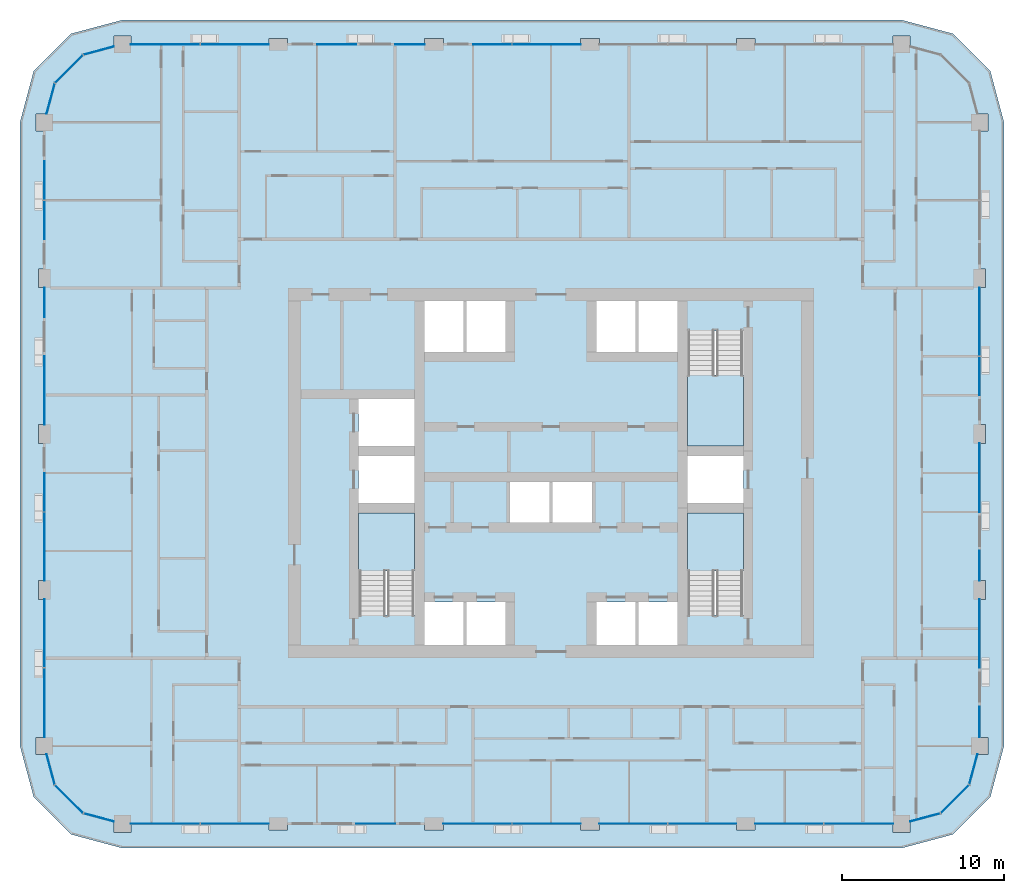
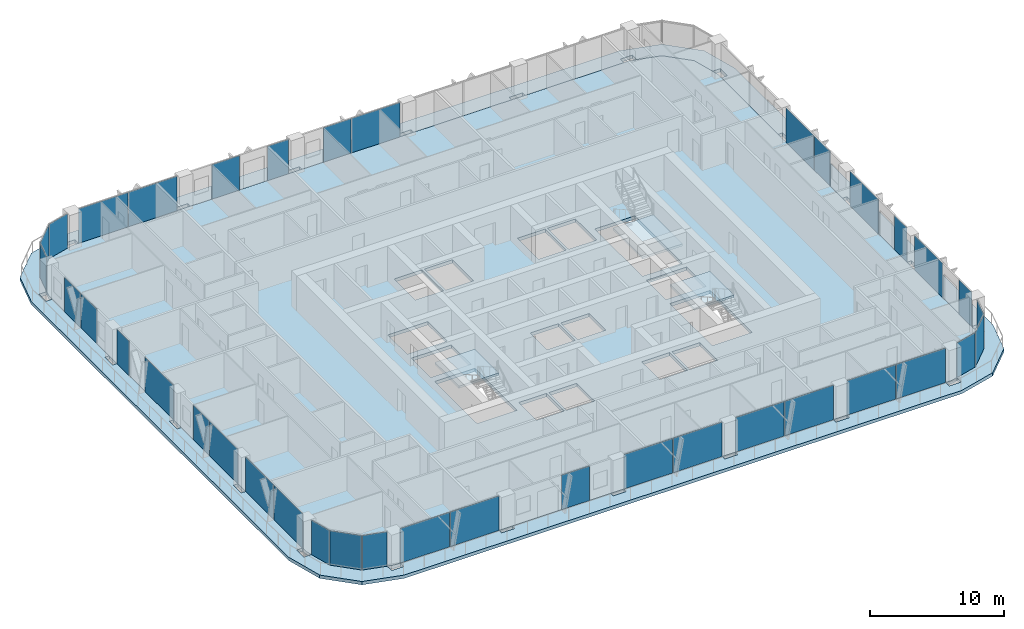
# One storey, part 7 of 23: 38 plates, 5 slabs, 21 elements without a shape of their own.
"""IFC4 building model written with IfcOpenShell, lengths in metres."""

from ifc_helpers import new_model, si_unit, direction, frame, origin, origin_2d, place, context, subcontext, project, spatial, polyline, rectangle, outline, extrude, material, layer, layer_set, type_object, element, aggregate, save


model = new_model("IFC4")

# Units and contexts
model_context = context("Model", 3, precision=1e-05, world=origin(), true_north=direction((0.0, 1.0)))
body_context = subcontext(model_context, "Body", "Model", "MODEL_VIEW")
ifc_project = project(units=[si_unit("LENGTHUNIT", "METRE"), si_unit("AREAUNIT", "SQUARE_METRE"), si_unit("VOLUMEUNIT", "CUBIC_METRE"), si_unit("PLANEANGLEUNIT", "RADIAN"), si_unit("MASSUNIT", "GRAM", prefix="KILO")], contexts=[model_context])

# Site, building, storey
site_placement = place(None, origin())
site = spatial("IfcSite", under=ifc_project, at=site_placement, CompositionType="ELEMENT")
building_placement = place(site_placement, origin())
building = spatial("IfcBuilding", under=site, at=building_placement, Name="Madar Terraces", CompositionType="ELEMENT")
storey_placement = place(building_placement, frame((0.0, 0.0, 133.10009765625)))
storey = spatial("IfcBuildingStorey", under=building, at=storey_placement, Name="L34", CompositionType="ELEMENT", Elevation=133.10009765625)

# Slabs
ifc_material_1 = material(Name="Concrete C50/60", Category="concrete")
ifc_layer_1 = layer(ifc_material_1, 0.300048828125)
ifc_layer_set_1 = layer_set([ifc_layer_1], Name="Balcony band 300")
slab_type_1 = type_object("IfcSlabType", Name="Balcony band 300", PredefinedType="FLOOR", material=ifc_layer_set_1)
slab_1_placement = place(storey_placement, frame((0.0, 0.0, -0.300048828125)))
element("IfcSlab", 1, at=slab_1_placement, inside=storey, type_object=slab_type_1, Name="Balcony band", PredefinedType="FLOOR", context=body_context, shape_type="SweptSolid", body=[
    extrude(outline(polyline([(4.800048828125, 3.300048828125), (1.64990234375, 4.14404296875), (-0.656005859375, 6.449951171875), (-1.5, 9.60009765625), (-1.5, 48.0), (-0.656005859375, 51.14990234375), (1.64990234375, 53.4560546875), (4.800048828125, 54.300048828125), (52.800048828125, 54.300048828125), (55.949951171875, 53.4560546875), (58.256103515625, 51.14990234375), (59.10009765625, 48.0), (59.10009765625, 9.60009765625), (58.256103515625, 6.449951171875), (55.949951171875, 4.14404296875), (52.800048828125, 3.300048828125), (4.800048828125, 3.300048828125)]), holes=[polyline([(5.324951171875, 4.27490234375), (5.324951171875, 4.800048828125), (13.824951171875, 4.800048828125), (13.824951171875, 4.425048828125), (14.97509765625, 4.425048828125), (14.97509765625, 4.800048828125), (23.425048828125, 4.800048828125), (23.425048828125, 4.425048828125), (24.574951171875, 4.425048828125), (24.574951171875, 4.800048828125), (33.02490234375, 4.800048828125), (33.02490234375, 4.425048828125), (34.175048828125, 4.425048828125), (34.175048828125, 4.800048828125), (42.625, 4.800048828125), (42.625, 4.425048828125), (43.77490234375, 4.425048828125), (43.77490234375, 4.800048828125), (52.27490234375, 4.800048828125), (52.27490234375, 4.27490234375), (53.324951171875, 4.27490234375), (53.324951171875, 4.940673828125), (55.199951171875, 5.443115234375), (56.956787109375, 7.199951171875), (57.459228515625, 9.074951171875), (58.125, 9.074951171875), (58.125, 10.125), (57.60009765625, 10.125), (57.60009765625, 18.625), (57.97509765625, 18.625), (57.97509765625, 19.77490234375), (57.60009765625, 19.77490234375), (57.60009765625, 28.22509765625), (57.97509765625, 28.22509765625), (57.97509765625, 29.375), (57.60009765625, 29.375), (57.60009765625, 37.824951171875), (57.97509765625, 37.824951171875), (57.97509765625, 38.97509765625), (57.60009765625, 38.97509765625), (57.60009765625, 47.47509765625), (58.125, 47.47509765625), (58.125, 48.52490234375), (57.459228515625, 48.52490234375), (56.956787109375, 50.39990234375), (55.199951171875, 52.156982421875), (53.324951171875, 52.6591796875), (53.324951171875, 53.324951171875), (52.27490234375, 53.324951171875), (52.27490234375, 52.800048828125), (43.77490234375, 52.800048828125), (43.77490234375, 53.175048828125), (42.625, 53.175048828125), (42.625, 52.800048828125), (34.175048828125, 52.800048828125), (34.175048828125, 53.175048828125), (33.02490234375, 53.175048828125), (33.02490234375, 52.800048828125), (24.574951171875, 52.800048828125), (24.574951171875, 53.175048828125), (23.425048828125, 53.175048828125), (23.425048828125, 52.800048828125), (14.97509765625, 52.800048828125), (14.97509765625, 53.175048828125), (13.824951171875, 53.175048828125), (13.824951171875, 52.800048828125), (5.324951171875, 52.800048828125), (5.324951171875, 53.324951171875), (4.27490234375, 53.324951171875), (4.27490234375, 52.6591796875), (2.39990234375, 52.156982421875), (0.64306640625, 50.39990234375), (0.140625, 48.52490234375), (-0.52490234375, 48.52490234375), (-0.52490234375, 47.47509765625), (0.0, 47.47509765625), (0.0, 38.97509765625), (-0.375, 38.97509765625), (-0.375, 37.824951171875), (0.0, 37.824951171875), (0.0, 29.375), (-0.375, 29.375), (-0.375, 28.22509765625), (0.0, 28.22509765625), (0.0, 19.77490234375), (-0.375, 19.77490234375), (-0.375, 18.625), (0.0, 18.625), (0.0, 10.125), (-0.52490234375, 10.125), (-0.52490234375, 9.074951171875), (0.140625, 9.074951171875), (0.64306640625, 7.199951171875), (2.39990234375, 5.443115234375), (4.27490234375, 4.940673828125), (4.27490234375, 4.27490234375), (5.324951171875, 4.27490234375)])]), origin(), (0.0, 0.0, 1.0), 0.300048828125),
])
ifc_material_2 = material(Name="Concrete C50/60", Category="concrete")
ifc_layer_2 = layer(ifc_material_2, 0.300048828125)
ifc_layer_set_2 = layer_set([ifc_layer_2], Name="FS2 PT flat slab 300")
slab_type_2 = type_object("IfcSlabType", Name="FS2 PT flat slab 300", PredefinedType="FLOOR", material=ifc_layer_set_2)
slab_2_placement = place(storey_placement, frame((0.0, 0.0, -0.300048828125)))
element("IfcSlab", 2, at=slab_2_placement, inside=storey, type_object=slab_type_2, Name="Floor slab L34 (1)", PredefinedType="FLOOR", context=body_context, shape_type="SweptSolid", body=[
    extrude(outline(polyline([(52.800048828125, 4.800048828125), (55.199951171875, 5.443115234375), (56.95703125, 7.199951171875), (57.60009765625, 9.60009765625), (57.60009765625, 48.0), (56.95703125, 50.39990234375), (55.199951171875, 52.156982421875), (52.800048828125, 52.800048828125), (4.800048828125, 52.800048828125), (2.39990234375, 52.156982421875), (0.64306640625, 50.39990234375), (0.0, 48.0), (0.0, 9.60009765625), (0.64306640625, 7.199951171875), (2.39990234375, 5.443115234375), (4.800048828125, 4.800048828125), (52.800048828125, 4.800048828125)]), holes=[polyline([(23.39990234375, 15.800048828125), (23.39990234375, 18.449951171875), (25.800048828125, 18.449951171875), (25.800048828125, 15.800048828125), (23.39990234375, 15.800048828125)]), polyline([(26.0, 15.800048828125), (26.0, 18.449951171875), (28.39990234375, 18.449951171875), (28.39990234375, 15.800048828125), (26.0, 15.800048828125)]), polyline([(19.35009765625, 17.64990234375), (19.35009765625, 23.949951171875), (22.800048828125, 23.949951171875), (22.800048828125, 17.64990234375), (19.35009765625, 17.64990234375)]), polyline([(28.666748046875, 23.35009765625), (28.666748046875, 25.85009765625), (31.10009765625, 25.85009765625), (31.10009765625, 23.35009765625), (28.666748046875, 23.35009765625)]), polyline([(19.35009765625, 24.550048828125), (19.35009765625, 27.449951171875), (22.800048828125, 27.449951171875), (22.800048828125, 24.550048828125), (19.35009765625, 24.550048828125)]), polyline([(19.35009765625, 28.050048828125), (19.35009765625, 30.949951171875), (22.800048828125, 30.949951171875), (22.800048828125, 28.050048828125), (19.35009765625, 28.050048828125)]), polyline([(23.39990234375, 33.85009765625), (23.39990234375, 37.0), (25.800048828125, 37.0), (25.800048828125, 33.85009765625), (23.39990234375, 33.85009765625)]), polyline([(26.0, 33.85009765625), (26.0, 37.0), (28.39990234375, 37.0), (28.39990234375, 33.85009765625), (26.0, 33.85009765625)]), polyline([(34.0, 15.800048828125), (34.0, 18.449951171875), (36.39990234375, 18.449951171875), (36.39990234375, 15.800048828125), (34.0, 15.800048828125)]), polyline([(36.60009765625, 15.800048828125), (36.60009765625, 18.449951171875), (39.0, 18.449951171875), (39.0, 15.800048828125), (36.60009765625, 15.800048828125)]), polyline([(39.60009765625, 17.64990234375), (39.60009765625, 23.949951171875), (43.050048828125, 23.949951171875), (43.050048828125, 17.64990234375), (39.60009765625, 17.64990234375)]), polyline([(31.300048828125, 23.35009765625), (31.300048828125, 25.85009765625), (33.7333984375, 25.85009765625), (33.7333984375, 23.35009765625), (31.300048828125, 23.35009765625)]), polyline([(39.60009765625, 24.550048828125), (39.60009765625, 27.449951171875), (43.050048828125, 27.449951171875), (43.050048828125, 24.550048828125), (39.60009765625, 24.550048828125)]), polyline([(39.60009765625, 28.050048828125), (39.60009765625, 35.14990234375), (43.050048828125, 35.14990234375), (43.050048828125, 28.050048828125), (39.60009765625, 28.050048828125)]), polyline([(34.0, 33.85009765625), (34.0, 37.0), (36.39990234375, 37.0), (36.39990234375, 33.85009765625), (34.0, 33.85009765625)]), polyline([(36.60009765625, 33.85009765625), (36.60009765625, 37.0), (39.0, 37.0), (39.0, 33.85009765625), (36.60009765625, 33.85009765625)])]), origin(), (0.0, 0.0, 1.0), 0.300048828125),
])

# Curtain wall, plates
ifc_material_3 = material(Name="Glass, ceramic frit dark grey, with black aluminium frame", Category="aluminium")
ifc_layer_3 = layer(ifc_material_3, 0.199951171875)
ifc_layer_set_3 = layer_set([ifc_layer_3], Name="Facade curtain wall, fritted glass")
curtain_wall_type = type_object("IfcCurtainWallType", Name="Facade curtain wall, fritted glass", PredefinedType="NOTDEFINED", material=ifc_layer_set_3)
curtain_wall_1_placement = place(storey_placement, origin())
curtain_wall_1 = element("IfcCurtainWall", 3, at=curtain_wall_1_placement, inside=storey, type_object=curtain_wall_type, Name="Outer skin curtain wall south bay 1", PredefinedType="NOTDEFINED")
ifc_material_4 = material(Name="Glass, ceramic frit dark grey", Category="glass")
ifc_layer_4 = layer(ifc_material_4, 0.028076171875)
ifc_layer_set_4 = layer_set([ifc_layer_4], Name="Facade glass panel 28")
plate_type = type_object("IfcPlateType", Name="Facade glass panel 28", PredefinedType="CURTAIN_PANEL", material=ifc_layer_set_4)
plate_1_placement = place(storey_placement, frame((7.447509765625, 4.800048828125, 0.0), z_axis=(0.0, 0.0, 1.0), x_axis=(1.0, 0.0, 0.0)))
plate_1 = element("IfcPlate", 4, at=plate_1_placement, type_object=plate_type, Name="Panel 1", PredefinedType="CURTAIN_PANEL", context=body_context, shape_type="SweptSolid", body=[
    extrude(rectangle(XDim=4.2451171875, YDim=0.028076171875, at=origin_2d()), origin(), (0.0, 0.0, 1.0), 3.139892578125),
])
plate_2_placement = place(storey_placement, frame((11.7275390625, 4.800048828125, 0.0), z_axis=(0.0, 0.0, 1.0), x_axis=(1.0, 0.0, 0.0)))
plate_2 = element("IfcPlate", 5, at=plate_2_placement, type_object=plate_type, Name="Panel 2", PredefinedType="CURTAIN_PANEL", context=body_context, shape_type="SweptSolid", body=[
    extrude(rectangle(XDim=4.195068359375, YDim=0.028076171875, at=origin_2d()), origin(), (0.0, 0.0, 1.0), 3.139892578125),
])
aggregate(curtain_wall_1, [plate_1, plate_2])

# Curtain wall, plate
curtain_wall_2_placement = place(storey_placement, origin())
curtain_wall_2 = element("IfcCurtainWall", 6, at=curtain_wall_2_placement, inside=storey, type_object=curtain_wall_type, Name="Outer skin curtain wall south bay 2", PredefinedType="NOTDEFINED")
plate_3_placement = place(storey_placement, frame((20.39990234375, 4.800048828125, 0.0), z_axis=(0.0, 0.0, 1.0), x_axis=(1.0, 0.0, 0.0)))
plate_3 = element("IfcPlate", 7, at=plate_3_placement, type_object=plate_type, Name="Panel 1", PredefinedType="CURTAIN_PANEL", context=body_context, shape_type="SweptSolid", body=[
    extrude(rectangle(XDim=2.39990234375, YDim=0.028076171875, at=origin_2d()), origin(), (0.0, 0.0, 1.0), 3.139892578125),
])
aggregate(curtain_wall_2, [plate_3])

# Curtain wall, plates
curtain_wall_3_placement = place(storey_placement, origin())
curtain_wall_3 = element("IfcCurtainWall", 8, at=curtain_wall_3_placement, inside=storey, type_object=curtain_wall_type, Name="Outer skin curtain wall south bay 3", PredefinedType="NOTDEFINED")
plate_4_placement = place(storey_placement, frame((26.672607421875, 4.800048828125, 0.0), z_axis=(0.0, 0.0, 1.0), x_axis=(1.0, 0.0, 0.0)))
plate_4 = element("IfcPlate", 9, at=plate_4_placement, type_object=plate_type, Name="Panel 1", PredefinedType="CURTAIN_PANEL", context=body_context, shape_type="SweptSolid", body=[
    extrude(rectangle(XDim=4.195068359375, YDim=0.028076171875, at=origin_2d()), origin(), (0.0, 0.0, 1.0), 3.139892578125),
])
plate_5_placement = place(storey_placement, frame((30.927490234375, 4.800048828125, 0.0), z_axis=(0.0, 0.0, 1.0), x_axis=(1.0, 0.0, 0.0)))
plate_5 = element("IfcPlate", 10, at=plate_5_placement, type_object=plate_type, Name="Panel 2", PredefinedType="CURTAIN_PANEL", context=body_context, shape_type="SweptSolid", body=[
    extrude(rectangle(XDim=4.195068359375, YDim=0.028076171875, at=origin_2d()), origin(), (0.0, 0.0, 1.0), 3.139892578125),
])
aggregate(curtain_wall_3, [plate_4, plate_5])

curtain_wall_4_placement = place(storey_placement, origin())
curtain_wall_4 = element("IfcCurtainWall", 11, at=curtain_wall_4_placement, inside=storey, type_object=curtain_wall_type, Name="Outer skin curtain wall south bay 4", PredefinedType="NOTDEFINED")
plate_6_placement = place(storey_placement, frame((36.2724609375, 4.800048828125, 0.0), z_axis=(0.0, 0.0, 1.0), x_axis=(1.0, 0.0, 0.0)))
plate_6 = element("IfcPlate", 12, at=plate_6_placement, type_object=plate_type, Name="Panel 1", PredefinedType="CURTAIN_PANEL", context=body_context, shape_type="SweptSolid", body=[
    extrude(rectangle(XDim=4.195068359375, YDim=0.028076171875, at=origin_2d()), origin(), (0.0, 0.0, 1.0), 3.139892578125),
])
plate_7_placement = place(storey_placement, frame((40.527587890625, 4.800048828125, 0.0), z_axis=(0.0, 0.0, 1.0), x_axis=(1.0, 0.0, 0.0)))
plate_7 = element("IfcPlate", 13, at=plate_7_placement, type_object=plate_type, Name="Panel 2", PredefinedType="CURTAIN_PANEL", context=body_context, shape_type="SweptSolid", body=[
    extrude(rectangle(XDim=4.195068359375, YDim=0.028076171875, at=origin_2d()), origin(), (0.0, 0.0, 1.0), 3.139892578125),
])
aggregate(curtain_wall_4, [plate_6, plate_7])

curtain_wall_5_placement = place(storey_placement, origin())
curtain_wall_5 = element("IfcCurtainWall", 14, at=curtain_wall_5_placement, inside=storey, type_object=curtain_wall_type, Name="Outer skin curtain wall south bay 5", PredefinedType="NOTDEFINED")
plate_8_placement = place(storey_placement, frame((45.87255859375, 4.800048828125, 0.0), z_axis=(0.0, 0.0, 1.0), x_axis=(1.0, 0.0, 0.0)))
plate_8 = element("IfcPlate", 15, at=plate_8_placement, type_object=plate_type, Name="Panel 1", PredefinedType="CURTAIN_PANEL", context=body_context, shape_type="SweptSolid", body=[
    extrude(rectangle(XDim=4.195068359375, YDim=0.028076171875, at=origin_2d()), origin(), (0.0, 0.0, 1.0), 3.139892578125),
])
plate_9_placement = place(storey_placement, frame((50.152587890625, 4.800048828125, 0.0), z_axis=(0.0, 0.0, 1.0), x_axis=(1.0, 0.0, 0.0)))
plate_9 = element("IfcPlate", 16, at=plate_9_placement, type_object=plate_type, Name="Panel 2", PredefinedType="CURTAIN_PANEL", context=body_context, shape_type="SweptSolid", body=[
    extrude(rectangle(XDim=4.2451171875, YDim=0.028076171875, at=origin_2d()), origin(), (0.0, 0.0, 1.0), 3.139892578125),
])
aggregate(curtain_wall_5, [plate_8, plate_9])

curtain_wall_6_placement = place(storey_placement, origin())
curtain_wall_6 = element("IfcCurtainWall", 17, at=curtain_wall_6_placement, inside=storey, type_object=curtain_wall_type, Name="Outer skin curtain wall east bay 1", PredefinedType="NOTDEFINED")
plate_10_placement = place(storey_placement, frame((57.60009765625, 11.0625, 0.0), z_axis=(0.0, 0.0, 1.0), x_axis=(0.0, 1.0, 0.0)))
plate_10 = element("IfcPlate", 18, at=plate_10_placement, type_object=plate_type, Name="Panel 1", PredefinedType="CURTAIN_PANEL", context=body_context, shape_type="SweptSolid", body=[
    extrude(rectangle(XDim=1.875, YDim=0.028076171875, at=origin_2d()), origin(), (0.0, 0.0, 1.0), 3.139892578125),
])
plate_11_placement = place(storey_placement, frame((57.60009765625, 16.512451171875, 0.0), z_axis=(0.0, 0.0, 1.0), x_axis=(0.0, 1.0, 0.0)))
plate_11 = element("IfcPlate", 19, at=plate_11_placement, type_object=plate_type, Name="Panel 2", PredefinedType="CURTAIN_PANEL", context=body_context, shape_type="SweptSolid", body=[
    extrude(rectangle(XDim=4.22509765625, YDim=0.028076171875, at=origin_2d()), origin(), (0.0, 0.0, 1.0), 3.139892578125),
])
aggregate(curtain_wall_6, [plate_10, plate_11])

curtain_wall_7_placement = place(storey_placement, origin())
curtain_wall_7 = element("IfcCurtainWall", 20, at=curtain_wall_7_placement, inside=storey, type_object=curtain_wall_type, Name="Outer skin curtain wall east bay 2", PredefinedType="NOTDEFINED")
plate_12_placement = place(storey_placement, frame((57.60009765625, 20.6875, 0.0), z_axis=(0.0, 0.0, 1.0), x_axis=(0.0, 1.0, 0.0)))
plate_12 = element("IfcPlate", 21, at=plate_12_placement, type_object=plate_type, Name="Panel 1", PredefinedType="CURTAIN_PANEL", context=body_context, shape_type="SweptSolid", body=[
    extrude(rectangle(XDim=1.824951171875, YDim=0.028076171875, at=origin_2d()), origin(), (0.0, 0.0, 1.0), 3.139892578125),
])
plate_13_placement = place(storey_placement, frame((57.60009765625, 26.112548828125, 0.0), z_axis=(0.0, 0.0, 1.0), x_axis=(0.0, 1.0, 0.0)))
plate_13 = element("IfcPlate", 22, at=plate_13_placement, type_object=plate_type, Name="Panel 2", PredefinedType="CURTAIN_PANEL", context=body_context, shape_type="SweptSolid", body=[
    extrude(rectangle(XDim=4.22509765625, YDim=0.028076171875, at=origin_2d()), origin(), (0.0, 0.0, 1.0), 3.139892578125),
])
aggregate(curtain_wall_7, [plate_12, plate_13])

curtain_wall_8_placement = place(storey_placement, origin())
curtain_wall_8 = element("IfcCurtainWall", 23, at=curtain_wall_8_placement, inside=storey, type_object=curtain_wall_type, Name="Outer skin curtain wall east bay 3", PredefinedType="NOTDEFINED")
plate_14_placement = place(storey_placement, frame((57.60009765625, 32.385009765625, 0.0), z_axis=(0.0, 0.0, 1.0), x_axis=(0.0, 1.0, 0.0)))
plate_14 = element("IfcPlate", 24, at=plate_14_placement, type_object=plate_type, Name="Panel 1", PredefinedType="CURTAIN_PANEL", context=body_context, shape_type="SweptSolid", body=[
    extrude(rectangle(XDim=2.3701171875, YDim=0.028076171875, at=origin_2d()), origin(), (0.0, 0.0, 1.0), 3.139892578125),
])
plate_15_placement = place(storey_placement, frame((57.60009765625, 35.7275390625, 0.0), z_axis=(0.0, 0.0, 1.0), x_axis=(0.0, 1.0, 0.0)))
plate_15 = element("IfcPlate", 25, at=plate_15_placement, type_object=plate_type, Name="Panel 2", PredefinedType="CURTAIN_PANEL", context=body_context, shape_type="SweptSolid", body=[
    extrude(rectangle(XDim=4.195068359375, YDim=0.028076171875, at=origin_2d()), origin(), (0.0, 0.0, 1.0), 3.139892578125),
])
aggregate(curtain_wall_8, [plate_14, plate_15])

curtain_wall_9_placement = place(storey_placement, origin())
curtain_wall_9 = element("IfcCurtainWall", 26, at=curtain_wall_9_placement, inside=storey, type_object=curtain_wall_type, Name="Outer skin curtain wall north bay 3", PredefinedType="NOTDEFINED")
plate_16_placement = place(storey_placement, frame((30.927490234375, 52.800048828125, 0.0), z_axis=(0.0, 0.0, 1.0), x_axis=(-1.0, 0.0, 0.0)))
plate_16 = element("IfcPlate", 27, at=plate_16_placement, type_object=plate_type, Name="Panel 1", PredefinedType="CURTAIN_PANEL", context=body_context, shape_type="SweptSolid", body=[
    extrude(rectangle(XDim=4.195068359375, YDim=0.028076171875, at=origin_2d()), origin(), (0.0, 0.0, 1.0), 3.139892578125),
])
plate_17_placement = place(storey_placement, frame((27.5849609375, 52.800048828125, 0.0), z_axis=(0.0, 0.0, 1.0), x_axis=(-1.0, 0.0, 0.0)))
plate_17 = element("IfcPlate", 28, at=plate_17_placement, type_object=plate_type, Name="Panel 2", PredefinedType="CURTAIN_PANEL", context=body_context, shape_type="SweptSolid", body=[
    extrude(rectangle(XDim=2.3701171875, YDim=0.028076171875, at=origin_2d()), origin(), (0.0, 0.0, 1.0), 3.139892578125),
])
aggregate(curtain_wall_9, [plate_16, plate_17])

curtain_wall_10_placement = place(storey_placement, origin())
curtain_wall_10 = element("IfcCurtainWall", 29, at=curtain_wall_10_placement, inside=storey, type_object=curtain_wall_type, Name="Outer skin curtain wall north bay 4", PredefinedType="NOTDEFINED")
plate_18_placement = place(storey_placement, frame((22.512451171875, 52.800048828125, 0.0), z_axis=(0.0, 0.0, 1.0), x_axis=(-1.0, 0.0, 0.0)))
plate_18 = element("IfcPlate", 30, at=plate_18_placement, type_object=plate_type, Name="Panel 1", PredefinedType="CURTAIN_PANEL", context=body_context, shape_type="SweptSolid", body=[
    extrude(rectangle(XDim=1.824951171875, YDim=0.028076171875, at=origin_2d()), origin(), (0.0, 0.0, 1.0), 3.139892578125),
])
plate_19_placement = place(storey_placement, frame((18.0, 52.800048828125, 0.0), z_axis=(0.0, 0.0, 1.0), x_axis=(-1.0, 0.0, 0.0)))
plate_19 = element("IfcPlate", 31, at=plate_19_placement, type_object=plate_type, Name="Panel 2", PredefinedType="CURTAIN_PANEL", context=body_context, shape_type="SweptSolid", body=[
    extrude(rectangle(XDim=2.39990234375, YDim=0.028076171875, at=origin_2d()), origin(), (0.0, 0.0, 1.0), 3.139892578125),
])
aggregate(curtain_wall_10, [plate_18, plate_19])

curtain_wall_11_placement = place(storey_placement, origin())
curtain_wall_11 = element("IfcCurtainWall", 32, at=curtain_wall_11_placement, inside=storey, type_object=curtain_wall_type, Name="Outer skin curtain wall north bay 5", PredefinedType="NOTDEFINED")
plate_20_placement = place(storey_placement, frame((11.7275390625, 52.800048828125, 0.0), z_axis=(0.0, 0.0, 1.0), x_axis=(-1.0, 0.0, 0.0)))
plate_20 = element("IfcPlate", 33, at=plate_20_placement, type_object=plate_type, Name="Panel 1", PredefinedType="CURTAIN_PANEL", context=body_context, shape_type="SweptSolid", body=[
    extrude(rectangle(XDim=4.195068359375, YDim=0.028076171875, at=origin_2d()), origin(), (0.0, 0.0, 1.0), 3.139892578125),
])
plate_21_placement = place(storey_placement, frame((7.447509765625, 52.800048828125, 0.0), z_axis=(0.0, 0.0, 1.0), x_axis=(-1.0, 0.0, 0.0)))
plate_21 = element("IfcPlate", 34, at=plate_21_placement, type_object=plate_type, Name="Panel 2", PredefinedType="CURTAIN_PANEL", context=body_context, shape_type="SweptSolid", body=[
    extrude(rectangle(XDim=4.2451171875, YDim=0.028076171875, at=origin_2d()), origin(), (0.0, 0.0, 1.0), 3.139892578125),
])
aggregate(curtain_wall_11, [plate_20, plate_21])

curtain_wall_12_placement = place(storey_placement, origin())
curtain_wall_12 = element("IfcCurtainWall", 35, at=curtain_wall_12_placement, inside=storey, type_object=curtain_wall_type, Name="Outer skin curtain wall west bay 1", PredefinedType="NOTDEFINED")
plate_22_placement = place(storey_placement, frame((0.0, 44.4150390625, 0.0), z_axis=(0.0, 0.0, 1.0), x_axis=(0.0, -1.0, 0.0)))
plate_22 = element("IfcPlate", 36, at=plate_22_placement, type_object=plate_type, Name="Panel 1", PredefinedType="CURTAIN_PANEL", context=body_context, shape_type="SweptSolid", body=[
    extrude(rectangle(XDim=2.3701171875, YDim=0.028076171875, at=origin_2d()), origin(), (0.0, 0.0, 1.0), 3.139892578125),
])
plate_23_placement = place(storey_placement, frame((0.0, 41.985107421875, 0.0), z_axis=(0.0, 0.0, 1.0), x_axis=(0.0, -1.0, 0.0)))
plate_23 = element("IfcPlate", 37, at=plate_23_placement, type_object=plate_type, Name="Panel 2", PredefinedType="CURTAIN_PANEL", context=body_context, shape_type="SweptSolid", body=[
    extrude(rectangle(XDim=2.3701171875, YDim=0.028076171875, at=origin_2d()), origin(), (0.0, 0.0, 1.0), 3.139892578125),
])
aggregate(curtain_wall_12, [plate_22, plate_23])

curtain_wall_13_placement = place(storey_placement, origin())
curtain_wall_13 = element("IfcCurtainWall", 38, at=curtain_wall_13_placement, inside=storey, type_object=curtain_wall_type, Name="Outer skin curtain wall west bay 2", PredefinedType="NOTDEFINED")
plate_24_placement = place(storey_placement, frame((0.0, 36.91259765625, 0.0), z_axis=(0.0, 0.0, 1.0), x_axis=(0.0, -1.0, 0.0)))
plate_24 = element("IfcPlate", 39, at=plate_24_placement, type_object=plate_type, Name="Panel 1", PredefinedType="CURTAIN_PANEL", context=body_context, shape_type="SweptSolid", body=[
    extrude(rectangle(XDim=1.824951171875, YDim=0.028076171875, at=origin_2d()), origin(), (0.0, 0.0, 1.0), 3.139892578125),
])
plate_25_placement = place(storey_placement, frame((0.0, 31.487548828125, 0.0), z_axis=(0.0, 0.0, 1.0), x_axis=(0.0, -1.0, 0.0)))
plate_25 = element("IfcPlate", 40, at=plate_25_placement, type_object=plate_type, Name="Panel 2", PredefinedType="CURTAIN_PANEL", context=body_context, shape_type="SweptSolid", body=[
    extrude(rectangle(XDim=4.22509765625, YDim=0.028076171875, at=origin_2d()), origin(), (0.0, 0.0, 1.0), 3.139892578125),
])
aggregate(curtain_wall_13, [plate_24, plate_25])

curtain_wall_14_placement = place(storey_placement, origin())
curtain_wall_14 = element("IfcCurtainWall", 41, at=curtain_wall_14_placement, inside=storey, type_object=curtain_wall_type, Name="Outer skin curtain wall west bay 3", PredefinedType="NOTDEFINED")
plate_26_placement = place(storey_placement, frame((0.0, 25.215087890625, 0.0), z_axis=(0.0, 0.0, 1.0), x_axis=(0.0, -1.0, 0.0)))
plate_26 = element("IfcPlate", 42, at=plate_26_placement, type_object=plate_type, Name="Panel 1", PredefinedType="CURTAIN_PANEL", context=body_context, shape_type="SweptSolid", body=[
    extrude(rectangle(XDim=2.3701171875, YDim=0.028076171875, at=origin_2d()), origin(), (0.0, 0.0, 1.0), 3.139892578125),
])
plate_27_placement = place(storey_placement, frame((0.0, 21.87255859375, 0.0), z_axis=(0.0, 0.0, 1.0), x_axis=(0.0, -1.0, 0.0)))
plate_27 = element("IfcPlate", 43, at=plate_27_placement, type_object=plate_type, Name="Panel 2", PredefinedType="CURTAIN_PANEL", context=body_context, shape_type="SweptSolid", body=[
    extrude(rectangle(XDim=4.195068359375, YDim=0.028076171875, at=origin_2d()), origin(), (0.0, 0.0, 1.0), 3.139892578125),
])
aggregate(curtain_wall_14, [plate_26, plate_27])

curtain_wall_15_placement = place(storey_placement, origin())
curtain_wall_15 = element("IfcCurtainWall", 44, at=curtain_wall_15_placement, inside=storey, type_object=curtain_wall_type, Name="Outer skin curtain wall west bay 4", PredefinedType="NOTDEFINED")
plate_28_placement = place(storey_placement, frame((0.0, 16.527587890625, 0.0), z_axis=(0.0, 0.0, 1.0), x_axis=(0.0, -1.0, 0.0)))
plate_28 = element("IfcPlate", 45, at=plate_28_placement, type_object=plate_type, Name="Panel 1", PredefinedType="CURTAIN_PANEL", context=body_context, shape_type="SweptSolid", body=[
    extrude(rectangle(XDim=4.195068359375, YDim=0.028076171875, at=origin_2d()), origin(), (0.0, 0.0, 1.0), 3.139892578125),
])
plate_29_placement = place(storey_placement, frame((0.0, 12.24755859375, 0.0), z_axis=(0.0, 0.0, 1.0), x_axis=(0.0, -1.0, 0.0)))
plate_29 = element("IfcPlate", 46, at=plate_29_placement, type_object=plate_type, Name="Panel 2", PredefinedType="CURTAIN_PANEL", context=body_context, shape_type="SweptSolid", body=[
    extrude(rectangle(XDim=4.2451171875, YDim=0.028076171875, at=origin_2d()), origin(), (0.0, 0.0, 1.0), 3.139892578125),
])
aggregate(curtain_wall_15, [plate_28, plate_29])

curtain_wall_16_placement = place(storey_placement, origin())
curtain_wall_16 = element("IfcCurtainWall", 47, at=curtain_wall_16_placement, inside=storey, type_object=curtain_wall_type, Name="Outer skin curtain wall south-east corner", PredefinedType="NOTDEFINED")
plate_30_placement = place(storey_placement, frame((54.248046875, 5.18798828125, 0.0), z_axis=(0.0, 0.0, 1.0), x_axis=(0.965925832509, 0.258819021888, 0.0)))
plate_30 = element("IfcPlate", 48, at=plate_30_placement, type_object=plate_type, Name="Panel 1", PredefinedType="CURTAIN_PANEL", context=body_context, shape_type="SweptSolid", body=[
    extrude(rectangle(XDim=1.9111328125, YDim=0.028076171875, at=origin_2d()), origin(), (0.0, 0.0, 1.0), 3.139892578125),
])
plate_31_placement = place(storey_placement, frame((56.078369140625, 6.321533203125, 0.0), z_axis=(0.0, 0.0, 1.0), x_axis=(0.707106781187, 0.707106781187, 0.0)))
plate_31 = element("IfcPlate", 49, at=plate_31_placement, type_object=plate_type, Name="Panel 2", PredefinedType="CURTAIN_PANEL", context=body_context, shape_type="SweptSolid", body=[
    extrude(rectangle(XDim=2.424560546875, YDim=0.028076171875, at=origin_2d()), origin(), (0.0, 0.0, 1.0), 3.139892578125),
])
plate_32_placement = place(storey_placement, frame((57.2119140625, 8.152099609375, 0.0), z_axis=(0.0, 0.0, 1.0), x_axis=(0.258819021888, 0.965925832509, 0.0)))
plate_32 = element("IfcPlate", 50, at=plate_32_placement, type_object=plate_type, Name="Panel 3", PredefinedType="CURTAIN_PANEL", context=body_context, shape_type="SweptSolid", body=[
    extrude(rectangle(XDim=1.9111328125, YDim=0.028076171875, at=origin_2d()), origin(), (0.0, 0.0, 1.0), 3.139892578125),
])
aggregate(curtain_wall_16, [plate_30, plate_31, plate_32])

curtain_wall_17_placement = place(storey_placement, origin())
curtain_wall_17 = element("IfcCurtainWall", 51, at=curtain_wall_17_placement, inside=storey, type_object=curtain_wall_type, Name="Outer skin curtain wall north-west corner", PredefinedType="NOTDEFINED")
plate_33_placement = place(storey_placement, frame((3.35205078125, 52.412109375, 0.0), z_axis=(0.0, 0.0, 1.0), x_axis=(-0.965925832509, -0.258819021888, 0.0)))
plate_33 = element("IfcPlate", 52, at=plate_33_placement, type_object=plate_type, Name="Panel 1", PredefinedType="CURTAIN_PANEL", context=body_context, shape_type="SweptSolid", body=[
    extrude(rectangle(XDim=1.9111328125, YDim=0.028076171875, at=origin_2d()), origin(), (0.0, 0.0, 1.0), 3.139892578125),
])
plate_34_placement = place(storey_placement, frame((1.521484375, 51.278564453125, 0.0), z_axis=(0.0, 0.0, 1.0), x_axis=(-0.707106781187, -0.707106781187, 0.0)))
plate_34 = element("IfcPlate", 53, at=plate_34_placement, type_object=plate_type, Name="Panel 2", PredefinedType="CURTAIN_PANEL", context=body_context, shape_type="SweptSolid", body=[
    extrude(rectangle(XDim=2.424560546875, YDim=0.028076171875, at=origin_2d()), origin(), (0.0, 0.0, 1.0), 3.139892578125),
])
plate_35_placement = place(storey_placement, frame((0.387939453125, 49.447998046875, 0.0), z_axis=(0.0, 0.0, 1.0), x_axis=(-0.258819021888, -0.965925832509, 0.0)))
plate_35 = element("IfcPlate", 54, at=plate_35_placement, type_object=plate_type, Name="Panel 3", PredefinedType="CURTAIN_PANEL", context=body_context, shape_type="SweptSolid", body=[
    extrude(rectangle(XDim=1.9111328125, YDim=0.028076171875, at=origin_2d()), origin(), (0.0, 0.0, 1.0), 3.139892578125),
])
aggregate(curtain_wall_17, [plate_33, plate_34, plate_35])

curtain_wall_18_placement = place(storey_placement, origin())
curtain_wall_18 = element("IfcCurtainWall", 55, at=curtain_wall_18_placement, inside=storey, type_object=curtain_wall_type, Name="Outer skin curtain wall south-west corner", PredefinedType="NOTDEFINED")
plate_36_placement = place(storey_placement, frame((0.387939453125, 8.152099609375, 0.0), z_axis=(0.0, 0.0, 1.0), x_axis=(0.258819021888, -0.965925832509, 0.0)))
plate_36 = element("IfcPlate", 56, at=plate_36_placement, type_object=plate_type, Name="Panel 1", PredefinedType="CURTAIN_PANEL", context=body_context, shape_type="SweptSolid", body=[
    extrude(rectangle(XDim=1.9111328125, YDim=0.028076171875, at=origin_2d()), origin(), (0.0, 0.0, 1.0), 3.139892578125),
])
plate_37_placement = place(storey_placement, frame((1.521484375, 6.321533203125, 0.0), z_axis=(0.0, 0.0, 1.0), x_axis=(0.707106781187, -0.707106781187, 0.0)))
plate_37 = element("IfcPlate", 57, at=plate_37_placement, type_object=plate_type, Name="Panel 2", PredefinedType="CURTAIN_PANEL", context=body_context, shape_type="SweptSolid", body=[
    extrude(rectangle(XDim=2.424560546875, YDim=0.028076171875, at=origin_2d()), origin(), (0.0, 0.0, 1.0), 3.139892578125),
])
plate_38_placement = place(storey_placement, frame((3.35205078125, 5.18798828125, 0.0), z_axis=(0.0, 0.0, 1.0), x_axis=(0.965925832509, -0.258819021888, 0.0)))
plate_38 = element("IfcPlate", 58, at=plate_38_placement, type_object=plate_type, Name="Panel 3", PredefinedType="CURTAIN_PANEL", context=body_context, shape_type="SweptSolid", body=[
    extrude(rectangle(XDim=1.9111328125, YDim=0.028076171875, at=origin_2d()), origin(), (0.0, 0.0, 1.0), 3.139892578125),
])
aggregate(curtain_wall_18, [plate_36, plate_37, plate_38])

# Stair, slab
ifc_material_5 = material(Name="Concrete C50/60", Category="concrete")
stair_type_1 = type_object("IfcStairType", Name="Stair ST1 protected exit", PredefinedType="HALF_TURN_STAIR", material=ifc_material_5)
stair_1_placement = place(storey_placement, origin())
stair_1 = element("IfcStair", 59, at=stair_1_placement, inside=storey, type_object=stair_type_1, Name="L34 Protected Exit Stair ST1", PredefinedType="HALF_TURN_STAIR")
ifc_material_6 = material(Name="Concrete C50/60", Category="concrete")
ifc_layer_5 = layer(ifc_material_6, 0.199951171875)
ifc_layer_set_5 = layer_set([ifc_layer_5], Name="Stair landing 200, top +1.75")
slab_type_3 = type_object("IfcSlabType", Name="Stair landing 200, top +1.75", PredefinedType="LANDING", material=ifc_layer_set_5)
slab_3_placement = place(storey_placement, frame((0.0, 0.0, 1.5498046875)))
slab_3 = element("IfcSlab", 60, at=slab_3_placement, type_object=slab_type_3, Name="ST1 landing 1", PredefinedType="LANDING", context=body_context, shape_type="SweptSolid", body=[
    extrude(outline(polyline([(19.35009765625, 20.360107421875), (22.800048828125, 20.360107421875), (22.800048828125, 23.949951171875), (19.35009765625, 23.949951171875), (19.35009765625, 20.360107421875)])), origin(), (0.0, 0.0, 1.0), 0.2001953125),
])
aggregate(stair_1, [slab_3])

ifc_material_7 = material(Name="Concrete C50/60", Category="concrete")
stair_type_2 = type_object("IfcStairType", Name="Stair ST2 protected exit", PredefinedType="HALF_TURN_STAIR", material=ifc_material_7)
stair_2_placement = place(storey_placement, origin())
stair_2 = element("IfcStair", 61, at=stair_2_placement, inside=storey, type_object=stair_type_2, Name="L34 Protected Exit Stair ST2", PredefinedType="HALF_TURN_STAIR")
slab_4_placement = place(storey_placement, frame((0.0, 0.0, 1.5498046875)))
slab_4 = element("IfcSlab", 62, at=slab_4_placement, type_object=slab_type_3, Name="ST2 landing 1", PredefinedType="LANDING", context=body_context, shape_type="SweptSolid", body=[
    extrude(outline(polyline([(39.60009765625, 28.050048828125), (43.050048828125, 28.050048828125), (43.050048828125, 32.43994140625), (39.60009765625, 32.43994140625), (39.60009765625, 28.050048828125)])), origin(), (0.0, 0.0, 1.0), 0.2001953125),
])
aggregate(stair_2, [slab_4])

ifc_material_8 = material(Name="Concrete C50/60", Category="concrete")
stair_type_3 = type_object("IfcStairType", Name="Stair ST3 protected exit", PredefinedType="HALF_TURN_STAIR", material=ifc_material_8)
stair_3_placement = place(storey_placement, origin())
stair_3 = element("IfcStair", 63, at=stair_3_placement, inside=storey, type_object=stair_type_3, Name="L34 Protected Exit Stair ST3", PredefinedType="HALF_TURN_STAIR")
slab_5_placement = place(storey_placement, frame((0.0, 0.0, 1.5498046875)))
slab_5 = element("IfcSlab", 64, at=slab_5_placement, type_object=slab_type_3, Name="ST3 landing 1", PredefinedType="LANDING", context=body_context, shape_type="SweptSolid", body=[
    extrude(outline(polyline([(39.60009765625, 20.360107421875), (43.050048828125, 20.360107421875), (43.050048828125, 23.949951171875), (39.60009765625, 23.949951171875), (39.60009765625, 20.360107421875)])), origin(), (0.0, 0.0, 1.0), 0.2001953125),
])
aggregate(stair_3, [slab_5])

save(model, "model.ifc")
